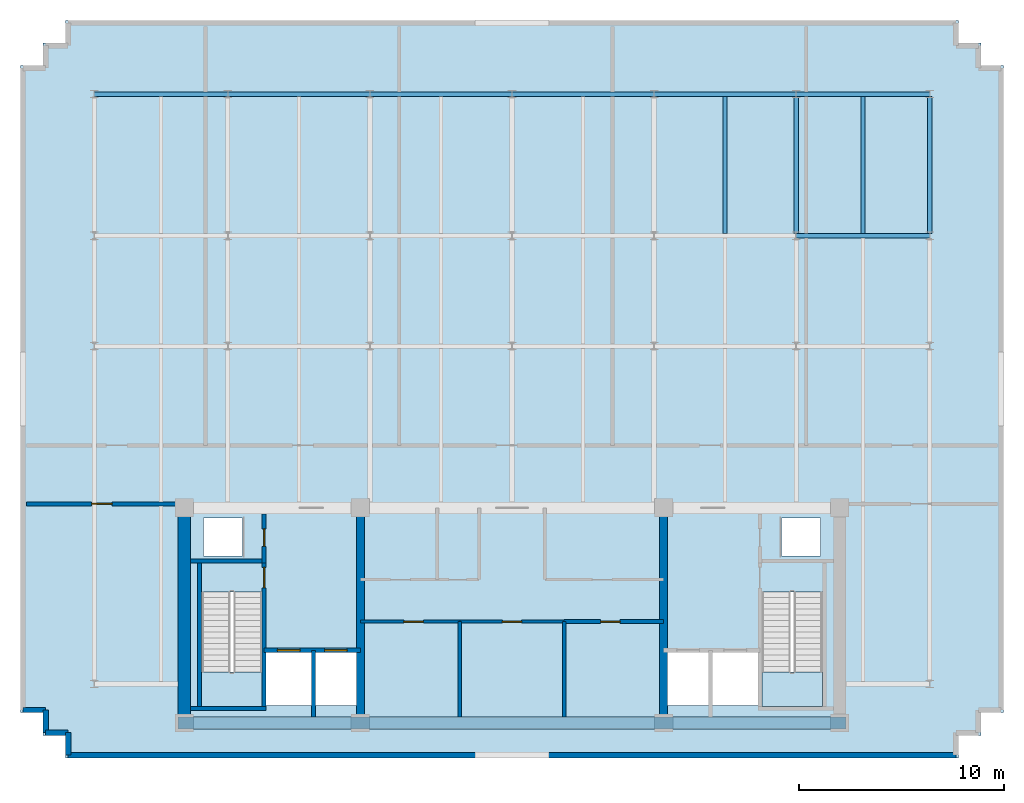
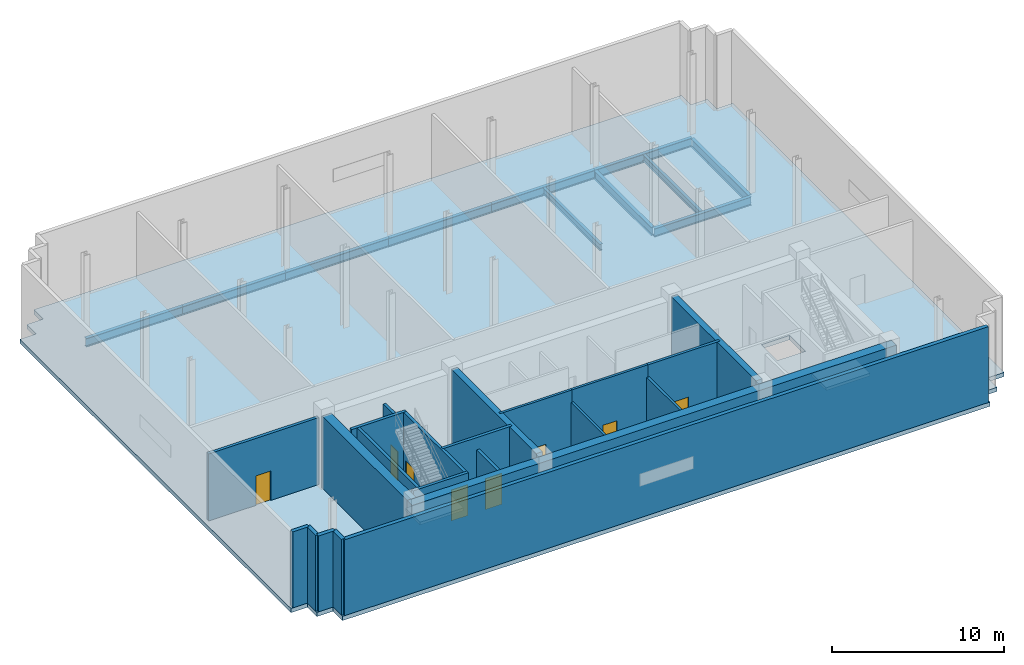
# One storey, part 2 of 6: 22 walls, 11 beams, 8 doors, 3 slabs, 8 openings, 2 elements without a shape of their own.
"""IFC4 building model written with IfcOpenShell, lengths in metres."""

from ifc_helpers import new_model, si_unit, direction, frame, frame_2d, origin, origin_2d, place, context, subcontext, project, spatial, polyline, rectangle, i_section, outline, extrude, material, layer, layer_set, material_profile, profile_set, type_object, element, fill, aggregate, save


model = new_model("IFC4")

# Units and contexts
model_context = context("Model", 3, precision=1e-05, world=origin(), true_north=direction((0.0, 1.0)))
body_context = subcontext(model_context, "Body", "Model", "MODEL_VIEW")
ifc_project = project(units=[si_unit("LENGTHUNIT", "METRE"), si_unit("AREAUNIT", "SQUARE_METRE"), si_unit("VOLUMEUNIT", "CUBIC_METRE"), si_unit("PLANEANGLEUNIT", "RADIAN"), si_unit("MASSUNIT", "GRAM", prefix="KILO")], contexts=[model_context])

# Site, building, storey
site_placement = place(None, origin())
site = spatial("IfcSite", under=ifc_project, at=site_placement, CompositionType="ELEMENT")
building_placement = place(site_placement, origin())
building = spatial("IfcBuilding", under=site, at=building_placement, Name="Solmavex Isthmus Hotel", CompositionType="ELEMENT")
storey_placement = place(building_placement, frame((0.0, 0.0, 297.0)))
storey = spatial("IfcBuildingStorey", under=building, at=storey_placement, Name="L80", CompositionType="ELEMENT", Elevation=297.0)

# Beams
ifc_material_1 = material(Name="Steel ASTM A992 Grade 50", Category="steel")
ifc_material_profile_1 = material_profile(ifc_material_1, i_section(OverallWidth=0.1904296875, OverallDepth=0.456787109375, WebThickness=0.009033203125, FlangeThickness=0.014404296875, FilletRadius=0.0126953125, at=origin_2d()), Name="W18X50")
ifc_profile_set_1 = profile_set([ifc_material_profile_1], Name="Steel ASTM A992 Grade 50")
beam_type_1 = type_object("IfcBeamType", Name="BM-BJ-W18X50", PredefinedType="JOIST", material=ifc_profile_set_1)
for number, where, z_axis, x_axis, name in (
    (1, (10.404052734375, 10.90185546875, -0.528564453125), (0.0, 1.0, 0.0), (-1.0, 0.0, 0.0), "Secondary Floor Joist L80-J15"),
    (2, (17.135986328125, 10.90185546875, -0.528564453125), (0.0, 1.0, 0.0), (-1.0, 0.0, 0.0), "Secondary Floor Joist L80-J18"),
):
    element("IfcBeam", number, at=place(storey_placement, frame(where, z_axis=z_axis, x_axis=x_axis)), inside=storey, type_object=beam_type_1, Name=name, PredefinedType="JOIST", context=body_context, shape_type="SweptSolid", body=[
        extrude(i_section(OverallWidth=0.1904296875, OverallDepth=0.456787109375, WebThickness=0.009033203125, FlangeThickness=0.014404296875, FilletRadius=0.0126953125, at=origin_2d()), origin(), (0.0, 0.0, 1.0), 6.682861328125),
    ])
ifc_material_profile_2 = material_profile(ifc_material_1, i_section(OverallWidth=0.227783203125, OverallDepth=0.602783203125, WebThickness=0.010498046875, FlangeThickness=0.014892578125, FilletRadius=0.01513671875, at=origin_2d()), Name="W24X68")
ifc_profile_set_2 = profile_set([ifc_material_profile_2], Name="Steel ASTM A992 Grade 50")
beam_type_2 = type_object("IfcBeamType", Name="BM-BM-W24X68", PredefinedType="BEAM", material=ifc_profile_set_2)
beam_1_placement = place(storey_placement, frame((13.8720703125, 10.7880859375, -0.601318359375), z_axis=(1.0, 0.0, 0.0), x_axis=(0.0, 1.0, 0.0)))
element("IfcBeam", 3, at=beam_1_placement, inside=storey, type_object=beam_type_2, Name="Floor Girder L80-UG14", PredefinedType="BEAM", context=body_context, shape_type="SweptSolid", body=[
    extrude(i_section(OverallWidth=0.227783203125, OverallDepth=0.602783203125, WebThickness=0.010498046875, FlangeThickness=0.014892578125, FilletRadius=0.01513671875, at=origin_2d()), origin(), (0.0, 0.0, 1.0), 6.52783203125),
])
beam_2_placement = place(storey_placement, frame((13.8720703125, 10.90185546875, -0.601318359375), z_axis=(0.0, 1.0, 0.0), x_axis=(-1.0, 0.0, 0.0)))
element("IfcBeam", 4, at=beam_2_placement, inside=storey, type_object=beam_type_2, Name="Floor Beam L80-VG38", PredefinedType="BEAM", context=body_context, shape_type="SweptSolid", body=[
    extrude(i_section(OverallWidth=0.227783203125, OverallDepth=0.602783203125, WebThickness=0.010498046875, FlangeThickness=0.014892578125, FilletRadius=0.01513671875, at=origin_2d()), origin(), (0.0, 0.0, 1.0), 6.682861328125),
])
ifc_material_profile_3 = material_profile(ifc_material_1, i_section(OverallWidth=0.230224609375, OverallDepth=0.617431640625, WebThickness=0.01318359375, FlangeThickness=0.022216796875, FilletRadius=0.01513671875, at=origin_2d()), Name="W24X94")
ifc_profile_set_3 = profile_set([ifc_material_profile_3], Name="Steel ASTM A992 Grade 50")
beam_type_3 = type_object("IfcBeamType", Name="BM-SP-W24X94", PredefinedType="SPANDREL", material=ifc_profile_set_3)
beam_3_placement = place(storey_placement, frame((-20.39990234375, 17.699951171875, -0.608642578125), z_axis=(1.0, 0.0, 0.0), x_axis=(0.0, 1.0, 0.0)))
element("IfcBeam", 5, at=beam_3_placement, inside=storey, type_object=beam_type_3, Name="Floor Girder L80-UG15", PredefinedType="SPANDREL", context=body_context, shape_type="SweptSolid", body=[
    extrude(i_section(OverallWidth=0.230224609375, OverallDepth=0.617431640625, WebThickness=0.01318359375, FlangeThickness=0.022216796875, FilletRadius=0.01513671875, at=origin_2d()), origin(), (0.0, 0.0, 1.0), 6.52783203125),
])
for number, where, z_axis, x_axis, name in (
    (6, (-13.8720703125, 17.699951171875, -0.608642578125), (1.0, 0.0, 0.0), (0.0, 1.0, 0.0), "Floor Girder L80-UG16"),
    (7, (-6.93603515625, 17.699951171875, -0.608642578125), (1.0, 0.0, 0.0), (0.0, 1.0, 0.0), "Floor Girder L80-UG17"),
    (8, (0.0, 17.699951171875, -0.608642578125), (1.0, 0.0, 0.0), (0.0, 1.0, 0.0), "Floor Girder L80-UG18"),
    (9, (6.93603515625, 17.699951171875, -0.608642578125), (1.0, 0.0, 0.0), (0.0, 1.0, 0.0), "Floor Girder L80-UG19"),
):
    element("IfcBeam", number, at=place(storey_placement, frame(where, z_axis=z_axis, x_axis=x_axis)), inside=storey, type_object=beam_type_3, Name=name, PredefinedType="SPANDREL", context=body_context, shape_type="SweptSolid", body=[
        extrude(i_section(OverallWidth=0.230224609375, OverallDepth=0.617431640625, WebThickness=0.01318359375, FlangeThickness=0.022216796875, FilletRadius=0.01513671875, at=origin_2d()), origin(), (0.0, 0.0, 1.0), 6.93603515625),
    ])
beam_4_placement = place(storey_placement, frame((13.8720703125, 17.699951171875, -0.608642578125), z_axis=(1.0, 0.0, 0.0), x_axis=(0.0, 1.0, 0.0)))
element("IfcBeam", 10, at=beam_4_placement, inside=storey, type_object=beam_type_3, Name="Floor Girder L80-UG20", PredefinedType="SPANDREL", context=body_context, shape_type="SweptSolid", body=[
    extrude(i_section(OverallWidth=0.230224609375, OverallDepth=0.617431640625, WebThickness=0.01318359375, FlangeThickness=0.022216796875, FilletRadius=0.01513671875, at=origin_2d()), origin(), (0.0, 0.0, 1.0), 6.52783203125),
])
beam_5_placement = place(storey_placement, frame((20.39990234375, 10.90185546875, -0.608642578125), z_axis=(0.0, 1.0, 0.0), x_axis=(-1.0, 0.0, 0.0)))
element("IfcBeam", 11, at=beam_5_placement, inside=storey, type_object=beam_type_3, Name="Floor Beam L80-VG41", PredefinedType="SPANDREL", context=body_context, shape_type="SweptSolid", body=[
    extrude(i_section(OverallWidth=0.230224609375, OverallDepth=0.617431640625, WebThickness=0.01318359375, FlangeThickness=0.022216796875, FilletRadius=0.01513671875, at=origin_2d()), origin(), (0.0, 0.0, 1.0), 6.682861328125),
])

# Slab
ifc_material_2 = material(Name="Concrete C40/50", Category="concrete")
ifc_layer_1 = layer(ifc_material_2, 0.300048828125)
ifc_layer_set_1 = layer_set([ifc_layer_1], Name="Concrete C40/50")
slab_type_1 = type_object("IfcSlabType", Name="SLAB-CRN-300", PredefinedType="FLOOR", material=ifc_layer_set_1)
slab_1_placement = place(storey_placement, frame((0.0, 0.0, -0.300048828125)))
element("IfcSlab", 12, at=slab_1_placement, inside=storey, type_object=slab_type_1, Name="Tower Structural Floor Slab L80", PredefinedType="FLOOR", context=body_context, shape_type="SweptSolid", body=[
    extrude(outline(polyline([(-20.699951171875, -14.699951171875), (20.699951171875, -14.699951171875), (21.800048828125, -14.699951171875), (21.800048828125, -13.60009765625), (22.89990234375, -13.60009765625), (22.89990234375, -12.5), (24.0, -12.5), (24.0, -11.39990234375), (24.0, 18.0), (24.0, 19.10009765625), (22.89990234375, 19.10009765625), (22.89990234375, 20.199951171875), (21.800048828125, 20.199951171875), (21.800048828125, 21.300048828125), (20.699951171875, 21.300048828125), (-20.699951171875, 21.300048828125), (-21.800048828125, 21.300048828125), (-21.800048828125, 20.199951171875), (-22.89990234375, 20.199951171875), (-22.89990234375, 19.10009765625), (-24.0, 19.10009765625), (-24.0, 18.0), (-24.0, -11.39990234375), (-24.0, -12.5), (-22.89990234375, -12.5), (-22.89990234375, -13.60009765625), (-21.800048828125, -13.60009765625), (-21.800048828125, -14.699951171875), (-20.699951171875, -14.699951171875)]), holes=[polyline([(-15.14990234375, -6.617919921875), (-15.14990234375, -12.199951171875), (-12.199951171875, -12.199951171875), (-12.199951171875, -6.617919921875), (-15.14990234375, -6.617919921875)]), polyline([(12.199951171875, -6.617919921875), (12.199951171875, -12.199951171875), (15.14990234375, -12.199951171875), (15.14990234375, -6.617919921875), (12.199951171875, -6.617919921875)]), polyline([(-12.0, -12.14990234375), (-9.800048828125, -12.14990234375), (-9.800048828125, -9.550048828125), (-12.0, -9.550048828125), (-12.0, -12.14990234375)]), polyline([(9.800048828125, -12.14990234375), (12.0, -12.14990234375), (12.0, -9.550048828125), (9.800048828125, -9.550048828125), (9.800048828125, -12.14990234375)]), polyline([(-9.60009765625, -12.14990234375), (-7.60009765625, -12.14990234375), (-7.60009765625, -9.550048828125), (-9.60009765625, -9.550048828125), (-9.60009765625, -12.14990234375)]), polyline([(7.60009765625, -12.14990234375), (9.60009765625, -12.14990234375), (9.60009765625, -9.550048828125), (7.60009765625, -9.550048828125), (7.60009765625, -12.14990234375)]), polyline([(-15.050048828125, -4.85009765625), (-13.14990234375, -4.85009765625), (-13.14990234375, -3.0), (-15.050048828125, -3.0), (-15.050048828125, -4.85009765625)]), polyline([(13.14990234375, -4.85009765625), (15.050048828125, -4.85009765625), (15.050048828125, -3.0), (13.14990234375, -3.0), (13.14990234375, -4.85009765625)])]), origin(), (0.0, 0.0, 1.0), 0.300048828125),
])

# Stair, slab
stair_type_1 = type_object("IfcStairType", Name="STR-ST-1", PredefinedType="HALF_TURN_STAIR", material=ifc_material_2)
stair_1_placement = place(storey_placement, origin())
stair_1 = element("IfcStair", 13, at=stair_1_placement, inside=storey, type_object=stair_type_1, Name="L80 Protected Exit Stair ST-1", PredefinedType="HALF_TURN_STAIR")
ifc_layer_2 = layer(ifc_material_2, 0.219970703125)
ifc_layer_set_2 = layer_set([ifc_layer_2], Name="Concrete C40/50")
slab_type_2 = type_object("IfcSlabType", Name="SLD-ST-1", PredefinedType="LANDING", material=ifc_layer_set_2)
slab_2_placement = place(storey_placement, frame((0.0, 0.0, 2.64990234375)))
slab_2 = element("IfcSlab", 14, at=slab_2_placement, type_object=slab_type_2, Name="ST-1 landing 1", PredefinedType="LANDING", context=body_context, shape_type="SweptSolid", body=[
    extrude(outline(polyline([(-15.14990234375, -10.52001953125), (-15.14990234375, -12.199951171875), (-12.199951171875, -12.199951171875), (-12.199951171875, -10.52001953125), (-15.14990234375, -10.52001953125)])), origin(), (0.0, 0.0, 1.0), 0.2001953125),
])
aggregate(stair_1, [slab_2])

stair_type_2 = type_object("IfcStairType", Name="STR-ST-2", PredefinedType="HALF_TURN_STAIR", material=ifc_material_2)
stair_2_placement = place(storey_placement, origin())
stair_2 = element("IfcStair", 15, at=stair_2_placement, inside=storey, type_object=stair_type_2, Name="L80 Protected Exit Stair ST-2", PredefinedType="HALF_TURN_STAIR")
ifc_layer_3 = layer(ifc_material_2, 0.219970703125)
ifc_layer_set_3 = layer_set([ifc_layer_3], Name="Concrete C40/50")
slab_type_3 = type_object("IfcSlabType", Name="SLD-ST-2", PredefinedType="LANDING", material=ifc_layer_set_3)
slab_3_placement = place(storey_placement, frame((0.0, 0.0, 2.64990234375)))
slab_3 = element("IfcSlab", 16, at=slab_3_placement, type_object=slab_type_3, Name="ST-2 landing 1", PredefinedType="LANDING", context=body_context, shape_type="SweptSolid", body=[
    extrude(outline(polyline([(12.199951171875, -10.52001953125), (12.199951171875, -12.199951171875), (15.14990234375, -12.199951171875), (15.14990234375, -10.52001953125), (12.199951171875, -10.52001953125)])), origin(), (0.0, 0.0, 1.0), 0.2001953125),
])
aggregate(stair_2, [slab_3])

# Walls
ifc_material_3 = material(Name="Precast Concrete C40/50", Category="concrete")
ifc_layer_4 = layer(ifc_material_3, 0.260009765625)
ifc_layer_set_4 = layer_set([ifc_layer_4], Name="Precast Concrete C40/50")
wall_type_1 = type_object("IfcWallType", Name="EW-CRN-260", PredefinedType="STANDARD", material=ifc_layer_set_4)
wall_1_placement = place(storey_placement, frame((21.669921875, -14.570068359375, 0.0), z_axis=(0.0, 0.0, 1.0), x_axis=(-1.0, 0.0, 0.0)))
element("IfcWall", 17, at=wall_1_placement, inside=storey, type_object=wall_type_1, Name="Plant Acoustic Louvre Enclosure Wall L80-01", PredefinedType="STANDARD", context=body_context, shape_type="SweptSolid", body=[
    extrude(rectangle(XDim=43.33984375, YDim=0.260009765625, at=frame_2d((21.669921875, 0.0))), origin(), (0.0, 0.0, 1.0), 5.39990234375),
])
for number, where, z_axis, x_axis, name in (
    (18, (-21.669921875, -14.570068359375, 0.0), (0.0, 0.0, 1.0), (0.0, 1.0, 0.0), "Plant Acoustic Louvre Enclosure Wall L80-02"),
    (19, (-21.669921875, -13.469970703125, 0.0), (0.0, 0.0, 1.0), (-1.0, 0.0, 0.0), "Plant Acoustic Louvre Enclosure Wall L80-03"),
):
    element("IfcWall", number, at=place(storey_placement, frame(where, z_axis=z_axis, x_axis=x_axis)), inside=storey, type_object=wall_type_1, Name=name, PredefinedType="STANDARD", context=body_context, shape_type="SweptSolid", body=[
        extrude(rectangle(XDim=1.10009765625, YDim=0.260009765625, at=frame_2d((0.550048828125, 0.0))), origin(), (0.0, 0.0, 1.0), 5.39990234375),
    ])
wall_2_placement = place(storey_placement, frame((-22.77001953125, -13.469970703125, 0.0), z_axis=(0.0, 0.0, 1.0), x_axis=(0.0, 1.0, 0.0)))
element("IfcWall", 20, at=wall_2_placement, inside=storey, type_object=wall_type_1, Name="Plant Acoustic Louvre Enclosure Wall L80-04", PredefinedType="STANDARD", context=body_context, shape_type="SweptSolid", body=[
    extrude(rectangle(XDim=1.099853515625, YDim=0.260009765625, at=frame_2d((0.5498046875, 0.0))), origin(), (0.0, 0.0, 1.0), 5.39990234375),
])
wall_3_placement = place(storey_placement, frame((-22.77001953125, -12.3701171875, 0.0), z_axis=(0.0, 0.0, 1.0), x_axis=(-1.0, 0.0, 0.0)))
element("IfcWall", 21, at=wall_3_placement, inside=storey, type_object=wall_type_1, Name="Plant Acoustic Louvre Enclosure Wall L80-05", PredefinedType="STANDARD", context=body_context, shape_type="SweptSolid", body=[
    extrude(rectangle(XDim=1.10009765625, YDim=0.260009765625, at=frame_2d((0.550048828125, 0.0))), origin(), (0.0, 0.0, 1.0), 5.39990234375),
])

# Wall, opening, door
ifc_material_4 = material(Name="Gypsum plasterboard lining", Category="gypsum")
ifc_layer_5 = layer(ifc_material_4, 0.159912109375)
ifc_layer_set_5 = layer_set([ifc_layer_5], Name="Gypsum plasterboard lining")
wall_type_2 = type_object("IfcWallType", Name="IW-COMP-160", PredefinedType="PARTITIONING", material=ifc_layer_set_5)
wall_4_placement = place(storey_placement, frame((-7.39990234375, -8.050048828125, 0.0), z_axis=(0.0, 0.0, 1.0), x_axis=(1.0, 0.0, 0.0)))
wall_4 = element("IfcWall", 22, at=wall_4_placement, inside=storey, type_object=wall_type_2, Name="Interior Partition Wall W-L80-REC-PLL-N", PredefinedType="PARTITIONING", context=body_context, shape_type="SweptSolid", body=[
    extrude(rectangle(XDim=4.849853515625, YDim=0.159912109375, at=frame_2d((2.4248046875, 0.0))), origin(), (0.0, 0.0, 1.0), 5.39990234375),
])
opening_1_placement = place(wall_4_placement, frame((2.125, 0.0, 0.0)))
opening_1 = element("IfcOpeningElement", 23, at=opening_1_placement, cuts=wall_4, Name="Opening ID-C095", PredefinedType="OPENING", context=body_context, shape_type="SweptSolid", body=[
    extrude(rectangle(XDim=0.949951171875, YDim=2.14990234375, at=frame_2d((0.47509765625, 1.074951171875))), frame((0.0, 0.08984375, 0.0), z_axis=(0.0, -1.0, 0.0), x_axis=(1.0, 0.0, 0.0)), (0.0, 0.0, 1.0), 0.179931640625),
])
ifc_material_5 = material(Name="Hardwood timber", Category="wood")
door_type_1 = type_object("IfcDoorType", Name="IDR-FD60-0950", OperationType="NOTDEFINED", PredefinedType="DOOR", material=ifc_material_5)
door_1_placement = place(opening_1_placement, origin())
door_1 = element("IfcDoor", 24, at=door_1_placement, inside=storey, type_object=door_type_1, Name="Linen Reserve Door L80", OperationType="SINGLE_SWING_LEFT", OverallHeight=2.14990234375, OverallWidth=0.949951171875, PredefinedType="DOOR", context=body_context, shape_type="SweptSolid", body=[
    extrude(rectangle(XDim=0.949951171875, YDim=2.14990234375, at=frame_2d((0.47509765625, 1.074951171875))), frame((0.0, 0.02490234375, 0.0), z_axis=(0.0, -1.0, 0.0), x_axis=(1.0, 0.0, 0.0)), (0.0, 0.0, 1.0), 0.050048828125),
])
fill(opening_1, door_1)

# Wall
wall_5_placement = place(storey_placement, frame((-2.550048828125, -12.699951171875, 0.0), z_axis=(0.0, 0.0, 1.0), x_axis=(0.0, 1.0, 0.0)))
element("IfcWall", 25, at=wall_5_placement, inside=storey, type_object=wall_type_2, Name="Interior Partition Wall W-L80-REC-PLL-E", PredefinedType="PARTITIONING", context=body_context, shape_type="SweptSolid", body=[
    extrude(rectangle(XDim=4.64990234375, YDim=0.159912109375, at=frame_2d((2.324951171875, 0.0))), origin(), (0.0, 0.0, 1.0), 4.534912109375),
])

# Wall, opening, door
wall_6_placement = place(storey_placement, frame((-2.550048828125, -8.050048828125, 0.0), z_axis=(0.0, 0.0, 1.0), x_axis=(1.0, 0.0, 0.0)))
wall_6 = element("IfcWall", 26, at=wall_6_placement, inside=storey, type_object=wall_type_2, Name="Interior Partition Wall W-L80-REC-PLM-N", PredefinedType="PARTITIONING", context=body_context, shape_type="SweptSolid", body=[
    extrude(rectangle(XDim=5.10009765625, YDim=0.159912109375, at=frame_2d((2.550048828125, 0.0))), origin(), (0.0, 0.0, 1.0), 5.39990234375),
])
opening_2_placement = place(wall_6_placement, frame((2.074951171875, 0.0, 0.0)))
opening_2 = element("IfcOpeningElement", 27, at=opening_2_placement, cuts=wall_6, Name="Opening ID-C095", PredefinedType="OPENING", context=body_context, shape_type="SweptSolid", body=[
    extrude(rectangle(XDim=0.949951171875, YDim=2.14990234375, at=frame_2d((0.47509765625, 1.074951171875))), frame((0.0, 0.08984375, 0.0), z_axis=(0.0, -1.0, 0.0), x_axis=(1.0, 0.0, 0.0)), (0.0, 0.0, 1.0), 0.179931640625),
])
door_2_placement = place(opening_2_placement, origin())
door_2 = element("IfcDoor", 28, at=door_2_placement, inside=storey, type_object=door_type_1, Name="Butler Store Door L80", OperationType="SINGLE_SWING_RIGHT", OverallHeight=2.14990234375, OverallWidth=0.949951171875, PredefinedType="DOOR", context=body_context, shape_type="SweptSolid", body=[
    extrude(rectangle(XDim=0.949951171875, YDim=2.14990234375, at=frame_2d((0.47509765625, 1.074951171875))), frame((0.0, 0.02490234375, 0.0), z_axis=(0.0, -1.0, 0.0), x_axis=(1.0, 0.0, 0.0)), (0.0, 0.0, 1.0), 0.050048828125),
])
fill(opening_2, door_2)

# Wall
wall_7_placement = place(storey_placement, frame((2.550048828125, -12.699951171875, 0.0), z_axis=(0.0, 0.0, 1.0), x_axis=(0.0, 1.0, 0.0)))
element("IfcWall", 29, at=wall_7_placement, inside=storey, type_object=wall_type_2, Name="Interior Partition Wall W-L80-REC-PLM-E", PredefinedType="PARTITIONING", context=body_context, shape_type="SweptSolid", body=[
    extrude(rectangle(XDim=4.64990234375, YDim=0.159912109375, at=frame_2d((2.324951171875, 0.0))), origin(), (0.0, 0.0, 1.0), 4.534912109375),
])

# Wall, opening, door
ifc_layer_6 = layer(ifc_material_2, 0.179931640625)
ifc_layer_set_6 = layer_set([ifc_layer_6], Name="Concrete C40/50")
wall_type_3 = type_object("IfcWallType", Name="IW-SHAFT-180", PredefinedType="PARTITIONING", material=ifc_layer_set_6)
wall_8_placement = place(storey_placement, frame((2.550048828125, -8.050048828125, 0.0), z_axis=(0.0, 0.0, 1.0), x_axis=(1.0, 0.0, 0.0)))
wall_8 = element("IfcWall", 30, at=wall_8_placement, inside=storey, type_object=wall_type_3, Name="Interior Partition Wall W-L80-TOP-PLH", PredefinedType="PARTITIONING", context=body_context, shape_type="SweptSolid", body=[
    extrude(rectangle(XDim=4.849853515625, YDim=0.179931640625, at=frame_2d((2.4248046875, 0.0))), origin(), (0.0, 0.0, 1.0), 5.39990234375),
])
opening_3_placement = place(wall_8_placement, frame((1.77490234375, 0.0, 0.0)))
opening_3 = element("IfcOpeningElement", 31, at=opening_3_placement, cuts=wall_8, Name="Opening ID-C095", PredefinedType="OPENING", context=body_context, shape_type="SweptSolid", body=[
    extrude(rectangle(XDim=0.949951171875, YDim=2.14990234375, at=frame_2d((0.47509765625, 1.074951171875))), frame((0.0, 0.099853515625, 0.0), z_axis=(0.0, -1.0, 0.0), x_axis=(1.0, 0.0, 0.0)), (0.0, 0.0, 1.0), 0.199951171875),
])
door_3_placement = place(opening_3_placement, origin())
door_3 = element("IfcDoor", 32, at=door_3_placement, inside=storey, type_object=door_type_1, Name="Control Room Door L80", OperationType="SINGLE_SWING_LEFT", OverallHeight=2.14990234375, OverallWidth=0.949951171875, PredefinedType="DOOR", context=body_context, shape_type="SweptSolid", body=[
    extrude(rectangle(XDim=0.949951171875, YDim=2.14990234375, at=frame_2d((0.47509765625, 1.074951171875))), frame((0.0, 0.02490234375, 0.0), z_axis=(0.0, -1.0, 0.0), x_axis=(1.0, 0.0, 0.0)), (0.0, 0.0, 1.0), 0.050048828125),
])
fill(opening_3, door_3)

ifc_layer_7 = layer(ifc_material_2, 0.199951171875)
ifc_layer_set_7 = layer_set([ifc_layer_7], Name="Concrete C40/50")
wall_type_4 = type_object("IfcWallType", Name="IW-SHAFT-200", PredefinedType="PARTITIONING", material=ifc_layer_set_7)
wall_9_placement = place(storey_placement, frame((-12.10009765625, -5.199951171875, 0.0), z_axis=(0.0, 0.0, 1.0), x_axis=(0.0, 1.0, 0.0)))
wall_9 = element("IfcWall", 33, at=wall_9_placement, inside=storey, type_object=wall_type_4, Name="Interior Partition Wall W-L80-RSW-E", PredefinedType="PARTITIONING", context=body_context, shape_type="SweptSolid", body=[
    extrude(rectangle(XDim=2.39990234375, YDim=0.199951171875, at=frame_2d((1.199951171875, 0.0))), origin(), (0.0, 0.0, 1.0), 4.534912109375),
])
opening_4_placement = place(wall_9_placement, frame((0.824951171875, 0.0, 0.0)))
opening_4 = element("IfcOpeningElement", 34, at=opening_4_placement, cuts=wall_9, Name="Opening ID-R085", PredefinedType="OPENING", context=body_context, shape_type="SweptSolid", body=[
    extrude(rectangle(XDim=0.85009765625, YDim=2.050048828125, at=frame_2d((0.425048828125, 1.02490234375))), frame((0.0, 0.10986328125, 0.0), z_axis=(0.0, -1.0, 0.0), x_axis=(1.0, 0.0, 0.0)), (0.0, 0.0, 1.0), 0.219970703125),
])
ifc_material_6 = material(Name="Steel ASTM A500 Grade C", Category="steel")
door_type_2 = type_object("IfcDoorType", Name="IDR-FD60-0850", OperationType="NOTDEFINED", PredefinedType="DOOR", material=ifc_material_6)
door_4_placement = place(opening_4_placement, origin())
door_4 = element("IfcDoor", 35, at=door_4_placement, inside=storey, type_object=door_type_2, Name="Electrical Riser Door L80", OperationType="SINGLE_SWING_RIGHT", OverallHeight=2.050048828125, OverallWidth=0.85009765625, PredefinedType="DOOR", context=body_context, shape_type="SweptSolid", body=[
    extrude(rectangle(XDim=0.85009765625, YDim=2.050048828125, at=frame_2d((0.425048828125, 1.02490234375))), frame((0.0, 0.02490234375, 0.0), z_axis=(0.0, -1.0, 0.0), x_axis=(1.0, 0.0, 0.0)), (0.0, 0.0, 1.0), 0.050048828125),
])
fill(opening_4, door_4)

# Wall, openings, doors
wall_10_placement = place(storey_placement, frame((-12.10009765625, -9.449951171875, 0.0), z_axis=(0.0, 0.0, 1.0), x_axis=(1.0, 0.0, 0.0)))
wall_10 = element("IfcWall", 36, at=wall_10_placement, inside=storey, type_object=wall_type_4, Name="Interior Partition Wall W-L80-FFLW-S", PredefinedType="PARTITIONING", context=body_context, shape_type="SweptSolid", body=[
    extrude(rectangle(XDim=4.7001953125, YDim=0.199951171875, at=frame_2d((2.35009765625, 0.0))), origin(), (0.0, 0.0, 1.0), 5.39990234375),
])
opening_5_placement = place(wall_10_placement, frame((0.64990234375, 0.0, 0.0)))
opening_5 = element("IfcOpeningElement", 37, at=opening_5_placement, cuts=wall_10, Name="Opening LD-FF", PredefinedType="OPENING", context=body_context, shape_type="SweptSolid", body=[
    extrude(rectangle(XDim=1.10009765625, YDim=2.199951171875, at=frame_2d((0.550048828125, 1.10009765625))), frame((0.0, 0.10986328125, 0.0), z_axis=(0.0, -1.0, 0.0), x_axis=(1.0, 0.0, 0.0)), (0.0, 0.0, 1.0), 0.219970703125),
])
opening_6_placement = place(wall_10_placement, frame((2.949951171875, 0.0, 0.0)))
opening_6 = element("IfcOpeningElement", 38, at=opening_6_placement, cuts=wall_10, Name="Opening LD-SV", PredefinedType="OPENING", context=body_context, shape_type="SweptSolid", body=[
    extrude(rectangle(XDim=1.10009765625, YDim=2.199951171875, at=frame_2d((0.550048828125, 1.10009765625))), frame((0.0, 0.10986328125, 0.0), z_axis=(0.0, -1.0, 0.0), x_axis=(1.0, 0.0, 0.0)), (0.0, 0.0, 1.0), 0.219970703125),
])
ifc_material_7 = material(Name="Stainless steel 316", Category="steel")
door_type_3 = type_object("IfcDoorType", Name="LDR-FF-1100", OperationType="NOTDEFINED", PredefinedType="DOOR", material=ifc_material_7)
door_5_placement = place(opening_5_placement, origin())
door_5 = element("IfcDoor", 39, at=door_5_placement, inside=storey, type_object=door_type_3, Name="Lift Landing Door FFL-1 L80", OperationType="SLIDING_TO_LEFT", OverallHeight=2.199951171875, OverallWidth=1.10009765625, PredefinedType="DOOR", context=body_context, shape_type="SweptSolid", body=[
    extrude(rectangle(XDim=1.10009765625, YDim=2.199951171875, at=frame_2d((0.550048828125, 1.10009765625))), frame((0.0, 0.02490234375, 0.0), z_axis=(0.0, -1.0, 0.0), x_axis=(1.0, 0.0, 0.0)), (0.0, 0.0, 1.0), 0.050048828125),
])
fill(opening_5, door_5)
door_type_4 = type_object("IfcDoorType", Name="LDR-SV-1100", OperationType="NOTDEFINED", PredefinedType="DOOR", material=ifc_material_7)
door_6_placement = place(opening_6_placement, origin())
door_6 = element("IfcDoor", 40, at=door_6_placement, inside=storey, type_object=door_type_4, Name="Lift Landing Door SVL-1 L80", OperationType="SLIDING_TO_RIGHT", OverallHeight=2.199951171875, OverallWidth=1.10009765625, PredefinedType="DOOR", context=body_context, shape_type="SweptSolid", body=[
    extrude(rectangle(XDim=1.10009765625, YDim=2.199951171875, at=frame_2d((0.550048828125, 1.10009765625))), frame((0.0, 0.02490234375, 0.0), z_axis=(0.0, -1.0, 0.0), x_axis=(1.0, 0.0, 0.0)), (0.0, 0.0, 1.0), 0.050048828125),
])
fill(opening_6, door_6)

# Wall
wall_11_placement = place(storey_placement, frame((-9.699951171875, -12.699951171875, 0.0), z_axis=(0.0, 0.0, 1.0), x_axis=(0.0, 1.0, 0.0)))
element("IfcWall", 41, at=wall_11_placement, inside=storey, type_object=wall_type_4, Name="Interior Partition Wall W-L80-FFLW-M", PredefinedType="PARTITIONING", context=body_context, shape_type="SweptSolid", body=[
    extrude(rectangle(XDim=3.25, YDim=0.199951171875, at=frame_2d((1.625, 0.0))), origin(), (0.0, 0.0, 1.0), 4.534912109375),
])

# Wall, opening, door
wall_12_placement = place(storey_placement, frame((-23.7099609375, -2.300048828125, 0.0), z_axis=(0.0, 0.0, 1.0), x_axis=(1.0, 0.0, 0.0)))
wall_12 = element("IfcWall", 42, at=wall_12_placement, inside=storey, type_object=wall_type_4, Name="Interior Partition Wall W-L80-PSW", PredefinedType="PARTITIONING", context=body_context, shape_type="SweptSolid", body=[
    extrude(rectangle(XDim=7.409912109375, YDim=0.199951171875, at=frame_2d((3.705078125, 0.0))), origin(), (0.0, 0.0, 1.0), 4.767578125),
])
opening_7_placement = place(wall_12_placement, frame((3.18505859375, 0.0, 0.0)))
opening_7 = element("IfcOpeningElement", 43, at=opening_7_placement, cuts=wall_12, Name="Opening ID-F100", PredefinedType="OPENING", context=body_context, shape_type="SweptSolid", body=[
    extrude(rectangle(XDim=1.0, YDim=2.10009765625, at=frame_2d((0.5, 1.050048828125))), frame((0.0, 0.10986328125, 0.0), z_axis=(0.0, -1.0, 0.0), x_axis=(1.0, 0.0, 0.0)), (0.0, 0.0, 1.0), 0.219970703125),
])
door_type_5 = type_object("IfcDoorType", Name="IDR-FD90-1000", OperationType="NOTDEFINED", PredefinedType="DOOR", material=ifc_material_6)
door_7_placement = place(opening_7_placement, frame((1.0, 0.0, 0.0), z_axis=(0.0, 0.0, 1.0), x_axis=(-1.0, 0.0, 0.0)))
door_7 = element("IfcDoor", 44, at=door_7_placement, inside=storey, type_object=door_type_5, Name="Domestic Water Booster Plant Room Door L80", OperationType="SINGLE_SWING_LEFT", OverallHeight=2.10009765625, OverallWidth=1.0, PredefinedType="DOOR", context=body_context, shape_type="SweptSolid", body=[
    extrude(rectangle(XDim=1.0, YDim=2.10009765625, at=frame_2d((0.5, 1.050048828125))), frame((0.0, 0.02490234375, 0.0), z_axis=(0.0, -1.0, 0.0), x_axis=(1.0, 0.0, 0.0)), (0.0, 0.0, 1.0), 0.050048828125),
])
fill(opening_7, door_7)

# Walls
ifc_material_8 = material(Name="Concrete C50/60", Category="concrete")
ifc_layer_8 = layer(ifc_material_8, 0.39990234375)
ifc_layer_set_8 = layer_set([ifc_layer_8], Name="Concrete C50/60")
wall_type_5 = type_object("IfcWallType", Name="WALL-CW-400H", PredefinedType="SHEAR", material=ifc_layer_set_8)
for number, where, z_axis, x_axis, name in (
    (45, (-7.39990234375, -12.699951171875, 0.0), (0.0, 0.0, 1.0), (0.0, 1.0, 0.0), "Core Cross Shear Wall C1 L80"),
    (46, (7.39990234375, -12.699951171875, 0.0), (0.0, 0.0, 1.0), (0.0, 1.0, 0.0), "Core Cross Shear Wall C2 L80"),
):
    element("IfcWall", number, at=place(storey_placement, frame(where, z_axis=z_axis, x_axis=x_axis)), inside=storey, type_object=wall_type_5, Name=name, PredefinedType="SHEAR", context=body_context, shape_type="SweptSolid", body=[
        extrude(rectangle(XDim=9.89990234375, YDim=0.39990234375, at=frame_2d((4.949951171875, 0.0))), origin(), (0.0, 0.0, 1.0), 5.39990234375),
    ])
ifc_layer_9 = layer(ifc_material_8, 0.60009765625)
ifc_layer_set_9 = layer_set([ifc_layer_9], Name="Concrete C50/60")
wall_type_6 = type_object("IfcWallType", Name="WALL-CW-600", PredefinedType="SHEAR", material=ifc_layer_set_9)
wall_13_placement = place(storey_placement, frame((-16.300048828125, -13.0, 0.0), z_axis=(0.0, 0.0, 1.0), x_axis=(1.0, 0.0, 0.0)))
element("IfcWall", 47, at=wall_13_placement, inside=storey, type_object=wall_type_6, Name="Core Shear Wall South L80", PredefinedType="SHEAR", context=body_context, shape_type="SweptSolid", body=[
    extrude(rectangle(XDim=32.60009765625, YDim=0.60009765625, at=frame_2d((16.300048828125, 0.0))), origin(), (0.0, 0.0, 1.0), 5.1201171875),
])
wall_14_placement = place(storey_placement, frame((-16.0, -12.699951171875, 0.0), z_axis=(0.0, 0.0, 1.0), x_axis=(0.0, 1.0, 0.0)))
element("IfcWall", 48, at=wall_14_placement, inside=storey, type_object=wall_type_6, Name="Core Shear Wall West L80", PredefinedType="SHEAR", context=body_context, shape_type="SweptSolid", body=[
    extrude(rectangle(XDim=9.89990234375, YDim=0.60009765625, at=frame_2d((4.949951171875, 0.0))), origin(), (0.0, 0.0, 1.0), 5.1201171875),
])
ifc_layer_10 = layer(ifc_material_2, 0.199951171875)
ifc_layer_set_10 = layer_set([ifc_layer_10], Name="Concrete C40/50")
wall_type_7 = type_object("IfcWallType", Name="WALL-SW-200", PredefinedType="SOLIDWALL", material=ifc_layer_set_10)
for number, where, z_axis, x_axis, name in (
    (49, (-15.699951171875, -12.300048828125, 0.0), (0.0, 0.0, 1.0), (1.0, 0.0, 0.0), "Stairwell Structural Wall SW-L80-ST1-S"),
    (50, (-15.699951171875, -5.10009765625, 0.0), (0.0, 0.0, 1.0), (1.0, 0.0, 0.0), "Stairwell Structural Wall SW-L80-ST1-N"),
):
    element("IfcWall", number, at=place(storey_placement, frame(where, z_axis=z_axis, x_axis=x_axis)), inside=storey, type_object=wall_type_7, Name=name, PredefinedType="SOLIDWALL", context=body_context, shape_type="SweptSolid", body=[
        extrude(rectangle(XDim=3.699951171875, YDim=0.199951171875, at=frame_2d((1.85009765625, 0.0))), origin(), (0.0, 0.0, 1.0), 5.39990234375),
    ])
wall_15_placement = place(storey_placement, frame((-15.25, -12.199951171875, 0.0), z_axis=(0.0, 0.0, 1.0), x_axis=(0.0, 1.0, 0.0)))
element("IfcWall", 51, at=wall_15_placement, inside=storey, type_object=wall_type_7, Name="Stairwell Structural Wall SW-L80-ST1-W", PredefinedType="SOLIDWALL", context=body_context, shape_type="SweptSolid", body=[
    extrude(rectangle(XDim=7.0, YDim=0.199951171875, at=frame_2d((3.5, 0.0))), origin(), (0.0, 0.0, 1.0), 5.39990234375),
])

# Wall, opening, door
wall_16_placement = place(storey_placement, frame((-12.10009765625, -12.199951171875, 0.0), z_axis=(0.0, 0.0, 1.0), x_axis=(0.0, 1.0, 0.0)))
wall_16 = element("IfcWall", 52, at=wall_16_placement, inside=storey, type_object=wall_type_7, Name="Stairwell Structural Wall SW-L80-ST1-E", PredefinedType="SOLIDWALL", context=body_context, shape_type="SweptSolid", body=[
    extrude(rectangle(XDim=7.0, YDim=0.199951171875, at=frame_2d((3.5, 0.0))), origin(), (0.0, 0.0, 1.0), 5.39990234375),
])
opening_8_placement = place(wall_16_placement, frame((5.800048828125, 0.0, 0.0)))
opening_8 = element("IfcOpeningElement", 53, at=opening_8_placement, cuts=wall_16, Name="Opening ID-F100", PredefinedType="OPENING", context=body_context, shape_type="SweptSolid", body=[
    extrude(rectangle(XDim=1.0, YDim=2.10009765625, at=frame_2d((0.5, 1.050048828125))), frame((0.0, 0.10986328125, 0.0), z_axis=(0.0, -1.0, 0.0), x_axis=(1.0, 0.0, 0.0)), (0.0, 0.0, 1.0), 0.219970703125),
])
door_8_placement = place(opening_8_placement, frame((1.0, 0.0, 0.0), z_axis=(0.0, 0.0, 1.0), x_axis=(-1.0, 0.0, 0.0)))
door_8 = element("IfcDoor", 54, at=door_8_placement, inside=storey, type_object=door_type_5, Name="Stair ST-1 Fire Door L80", OperationType="SINGLE_SWING_LEFT", OverallHeight=2.10009765625, OverallWidth=1.0, PredefinedType="DOOR", context=body_context, shape_type="SweptSolid", body=[
    extrude(rectangle(XDim=1.0, YDim=2.10009765625, at=frame_2d((0.5, 1.050048828125))), frame((0.0, 0.02490234375, 0.0), z_axis=(0.0, -1.0, 0.0), x_axis=(1.0, 0.0, 0.0)), (0.0, 0.0, 1.0), 0.050048828125),
])
fill(opening_8, door_8)

save(model, "model.ifc")
